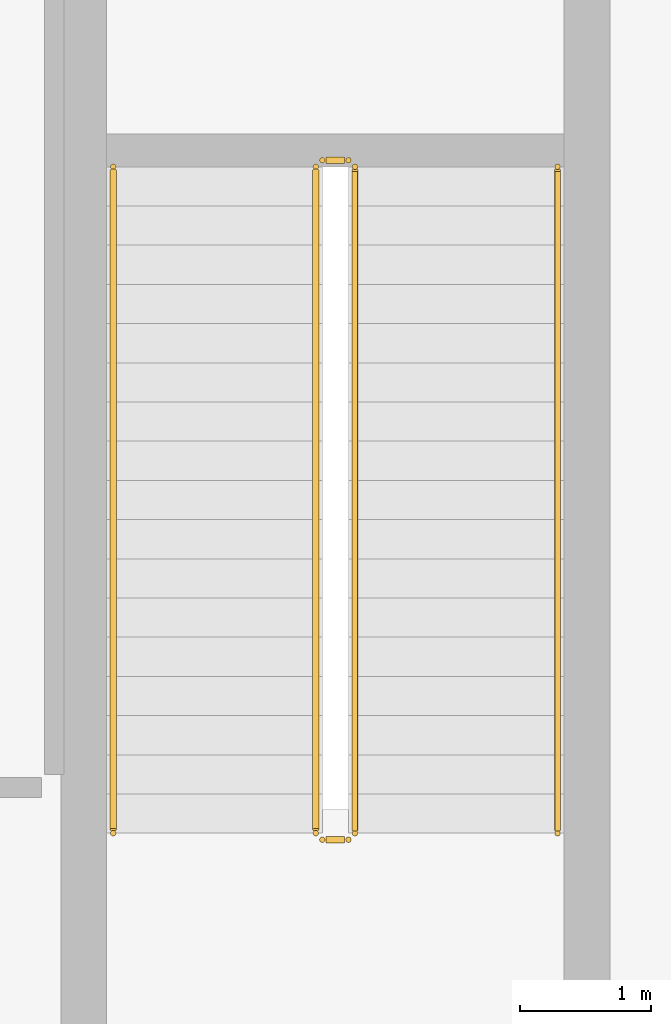
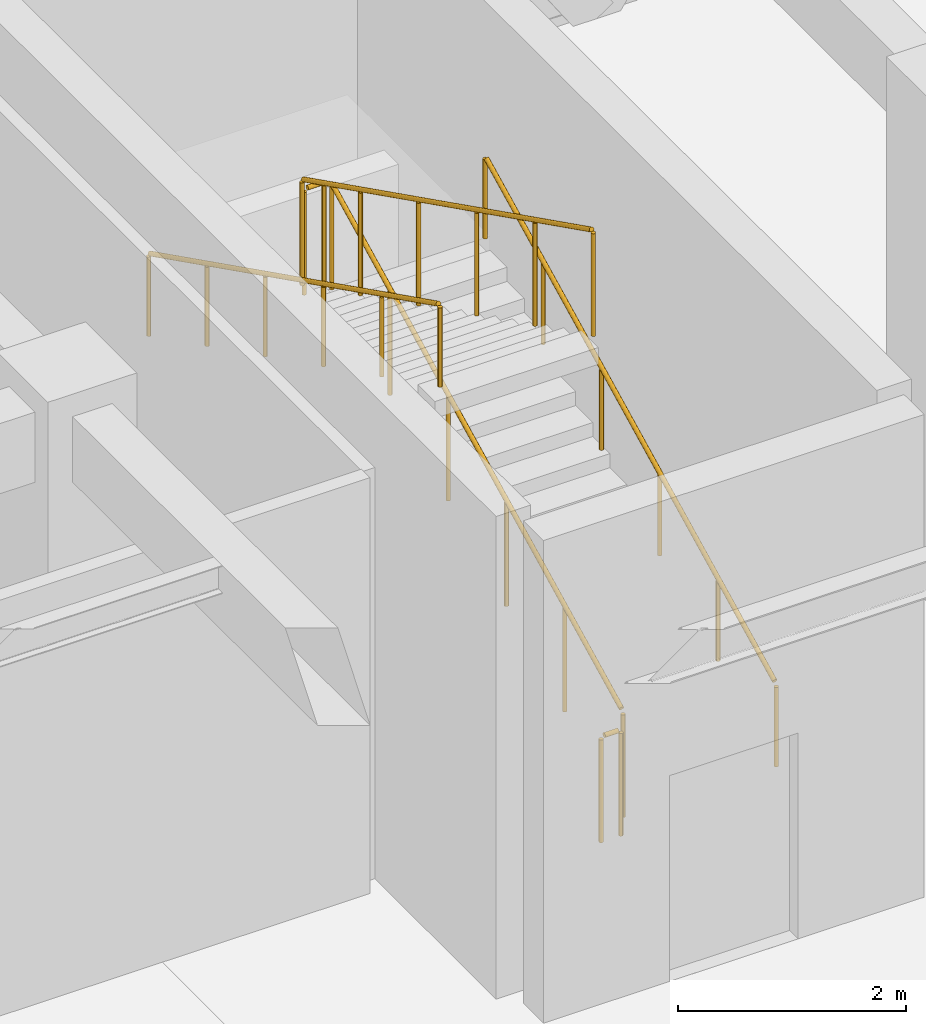
# One storey, part 153 of 155: 6 railings.
"""IFC4 building model written with IfcOpenShell, lengths in metres."""

from ifc_helpers import new_model, si_unit, direction, frame, origin, origin_2d, place, context, subcontext, project, spatial, circle, extrude, material, type_object, element, save


model = new_model("IFC4")

# Units and contexts
model_context = context("Model", 3, precision=1e-05, world=origin(), true_north=direction((0.0, 1.0)))
body_context = subcontext(model_context, "Body", "Model", "MODEL_VIEW")
ifc_project = project(units=[si_unit("LENGTHUNIT", "METRE"), si_unit("AREAUNIT", "SQUARE_METRE"), si_unit("VOLUMEUNIT", "CUBIC_METRE"), si_unit("PLANEANGLEUNIT", "RADIAN"), si_unit("MASSUNIT", "GRAM", prefix="KILO")], contexts=[model_context])

# Site, building, storey
site_placement = place(None, origin())
site = spatial("IfcSite", under=ifc_project, at=site_placement, CompositionType="ELEMENT")
building_placement = place(site_placement, origin())
building = spatial("IfcBuilding", under=site, at=building_placement, Name="Haizhuo Lancet Aquarium", CompositionType="ELEMENT")
storey_placement = place(building_placement, frame((0.0, 0.0, 10.800048828125)))
storey = spatial("IfcBuildingStorey", under=building, at=storey_placement, Name="L02", CompositionType="ELEMENT", Elevation=10.800048828125)

# Railings
ifc_material = material(Name="Steel S355", Category="steel")
railing_type_1 = type_object("IfcRailingType", Name="RL-GRD-1150", PredefinedType="GUARDRAIL", material=ifc_material)
railing_1_placement = place(storey_placement, frame((13.5, 43.050048828125, 0.14990234375)))
element("IfcRailing", 1, at=railing_1_placement, inside=storey, type_object=railing_type_1, Name="L02 ST-08 stair guard 1", PredefinedType="GUARDRAIL", context=body_context, shape_type="SweptSolid", body=[
    extrude(circle(Radius=0.02392578125, at=origin_2d()), frame((0.0, 0.02685546875, 1.13916015625), z_axis=(0.0, 0.894418627299, 0.447230722492), x_axis=(-1.0, 0.0, 0.0)), (0.0, 0.0, 1.0), 5.641845703125),
    extrude(circle(Radius=0.02099609375, at=origin_2d()), origin(), (0.0, 0.0, 1.0), 1.097900390625),
    extrude(circle(Radius=0.02099609375, at=origin_2d()), frame((0.0, 1.02001953125, 0.510009765625)), (0.0, 0.0, 1.0), 1.097900390625),
    extrude(circle(Radius=0.02099609375, at=origin_2d()), frame((0.0, 2.0400390625, 1.02001953125)), (0.0, 0.0, 1.0), 1.097900390625),
    extrude(circle(Radius=0.02099609375, at=origin_2d()), frame((0.0, 3.059814453125, 1.530029296875)), (0.0, 0.0, 1.0), 1.097900390625),
    extrude(circle(Radius=0.02099609375, at=origin_2d()), frame((0.0, 4.079833984375, 2.0400390625)), (0.0, 0.0, 1.0), 1.097900390625),
    extrude(circle(Radius=0.02099609375, at=origin_2d()), frame((0.0, 5.099853515625, 2.550048828125)), (0.0, 0.0, 1.0), 1.097900390625),
])
railing_2_placement = place(storey_placement, frame((13.449951171875, 48.199951171875, 2.699951171875)))
element("IfcRailing", 2, at=railing_2_placement, inside=storey, type_object=railing_type_1, Name="L02 ST-08 stair guard 2", PredefinedType="GUARDRAIL", context=body_context, shape_type="SweptSolid", body=[
    extrude(circle(Radius=0.02392578125, at=origin_2d()), frame((-0.030029296875, 0.0, 1.1259765625), z_axis=(-1.0, 0.0, 0.0), x_axis=(0.0, -1.0, 0.0)), (0.0, 0.0, 1.0), 0.139892578125),
    extrude(circle(Radius=0.02099609375, at=origin_2d()), origin(), (0.0, 0.0, 1.0), 1.097900390625),
    extrude(circle(Radius=0.02099609375, at=origin_2d()), frame((-0.199951171875, 0.0, 0.0)), (0.0, 0.0, 1.0), 1.097900390625),
])
railing_3_placement = place(storey_placement, frame((13.199951171875, 48.14990234375, 2.849853515625)))
element("IfcRailing", 3, at=railing_3_placement, inside=storey, type_object=railing_type_1, Name="L02 ST-08 stair guard 3", PredefinedType="GUARDRAIL", context=body_context, shape_type="SweptSolid", body=[
    extrude(circle(Radius=0.02392578125, at=origin_2d()), frame((0.0, -0.02685546875, 1.13916015625), z_axis=(0.0, -0.894418627299, 0.447230722492), x_axis=(1.0, 0.0, 0.0)), (0.0, 0.0, 1.0), 5.641845703125),
    extrude(circle(Radius=0.02099609375, at=origin_2d()), origin(), (0.0, 0.0, 1.0), 1.097900390625),
    extrude(circle(Radius=0.02099609375, at=origin_2d()), frame((0.0, -1.02001953125, 0.510009765625)), (0.0, 0.0, 1.0), 1.097900390625),
    extrude(circle(Radius=0.02099609375, at=origin_2d()), frame((0.0, -2.0400390625, 1.02001953125)), (0.0, 0.0, 1.0), 1.097900390625),
    extrude(circle(Radius=0.02099609375, at=origin_2d()), frame((0.0, -3.059814453125, 1.530029296875)), (0.0, 0.0, 1.0), 1.097900390625),
    extrude(circle(Radius=0.02099609375, at=origin_2d()), frame((0.0, -4.079833984375, 2.0400390625)), (0.0, 0.0, 1.0), 1.097900390625),
    extrude(circle(Radius=0.02099609375, at=origin_2d()), frame((0.0, -5.099853515625, 2.550048828125)), (0.0, 0.0, 1.0), 1.097900390625),
])
railing_4_placement = place(storey_placement, frame((13.449951171875, 43.0, 0.0)))
element("IfcRailing", 4, at=railing_4_placement, inside=storey, type_object=railing_type_1, Name="L02 ST-08 stair guard 4", PredefinedType="GUARDRAIL", context=body_context, shape_type="SweptSolid", body=[
    extrude(circle(Radius=0.02392578125, at=origin_2d()), frame((-0.030029296875, 0.0, 1.1259765625), z_axis=(-1.0, 0.0, 0.0), x_axis=(0.0, -1.0, 0.0)), (0.0, 0.0, 1.0), 0.139892578125),
    extrude(circle(Radius=0.02099609375, at=origin_2d()), origin(), (0.0, 0.0, 1.0), 1.097900390625),
    extrude(circle(Radius=0.02099609375, at=origin_2d()), frame((-0.199951171875, 0.0, 0.0)), (0.0, 0.0, 1.0), 1.097900390625),
])
railing_type_2 = type_object("IfcRailingType", Name="RL-HDR-900", PredefinedType="HANDRAIL", material=ifc_material)
railing_5_placement = place(storey_placement, frame((15.050048828125, 43.050048828125, 0.14990234375)))
element("IfcRailing", 5, at=railing_5_placement, inside=storey, type_object=railing_type_2, Name="L02 ST-08 pitch handrail 1", PredefinedType="HANDRAIL", context=body_context, shape_type="SweptSolid", body=[
    extrude(circle(Radius=0.02392578125, at=origin_2d()), frame((0.0, 0.02685546875, 0.88916015625), z_axis=(0.0, 0.894418627299, 0.447230722492), x_axis=(-1.0, 0.0, 0.0)), (0.0, 0.0, 1.0), 5.641845703125),
    extrude(circle(Radius=0.02099609375, at=origin_2d()), origin(), (0.0, 0.0, 1.0), 0.847900390625),
    extrude(circle(Radius=0.02099609375, at=origin_2d()), frame((0.0, 1.02001953125, 0.510009765625)), (0.0, 0.0, 1.0), 0.847900390625),
    extrude(circle(Radius=0.02099609375, at=origin_2d()), frame((0.0, 2.0400390625, 1.02001953125)), (0.0, 0.0, 1.0), 0.847900390625),
    extrude(circle(Radius=0.02099609375, at=origin_2d()), frame((0.0, 3.059814453125, 1.530029296875)), (0.0, 0.0, 1.0), 0.847900390625),
    extrude(circle(Radius=0.02099609375, at=origin_2d()), frame((0.0, 4.079833984375, 2.0400390625)), (0.0, 0.0, 1.0), 0.847900390625),
    extrude(circle(Radius=0.02099609375, at=origin_2d()), frame((0.0, 5.099853515625, 2.550048828125)), (0.0, 0.0, 1.0), 0.847900390625),
])
railing_6_placement = place(storey_placement, frame((11.64990234375, 48.14990234375, 2.849853515625)))
element("IfcRailing", 6, at=railing_6_placement, inside=storey, type_object=railing_type_2, Name="L02 ST-08 pitch handrail 2", PredefinedType="HANDRAIL", context=body_context, shape_type="SweptSolid", body=[
    extrude(circle(Radius=0.02392578125, at=origin_2d()), frame((0.0, -0.02685546875, 0.88916015625), z_axis=(0.0, -0.894418627299, 0.447230722492), x_axis=(1.0, 0.0, 0.0)), (0.0, 0.0, 1.0), 5.641845703125),
    extrude(circle(Radius=0.02099609375, at=origin_2d()), origin(), (0.0, 0.0, 1.0), 0.847900390625),
    extrude(circle(Radius=0.02099609375, at=origin_2d()), frame((0.0, -1.02001953125, 0.510009765625)), (0.0, 0.0, 1.0), 0.847900390625),
    extrude(circle(Radius=0.02099609375, at=origin_2d()), frame((0.0, -2.0400390625, 1.02001953125)), (0.0, 0.0, 1.0), 0.847900390625),
    extrude(circle(Radius=0.02099609375, at=origin_2d()), frame((0.0, -3.059814453125, 1.530029296875)), (0.0, 0.0, 1.0), 0.847900390625),
    extrude(circle(Radius=0.02099609375, at=origin_2d()), frame((0.0, -4.079833984375, 2.0400390625)), (0.0, 0.0, 1.0), 0.847900390625),
    extrude(circle(Radius=0.02099609375, at=origin_2d()), frame((0.0, -5.099853515625, 2.550048828125)), (0.0, 0.0, 1.0), 0.847900390625),
])

save(model, "model.ifc")
